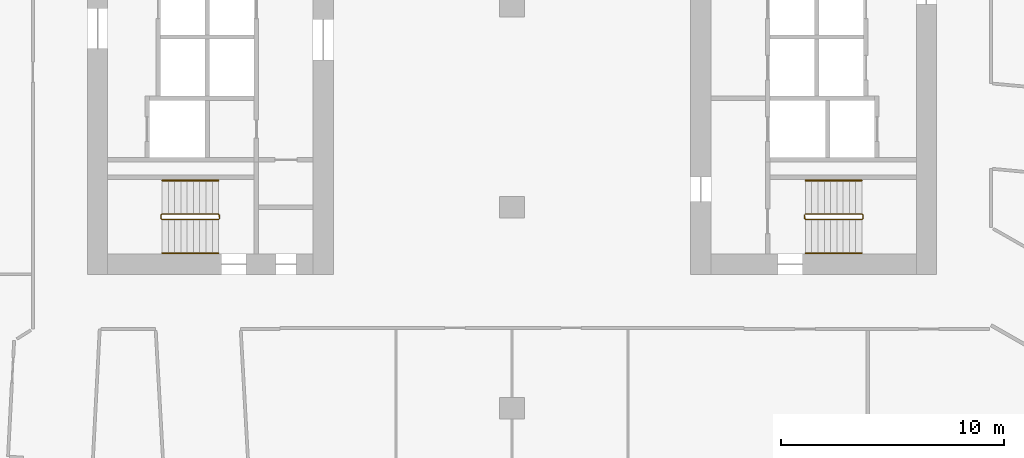
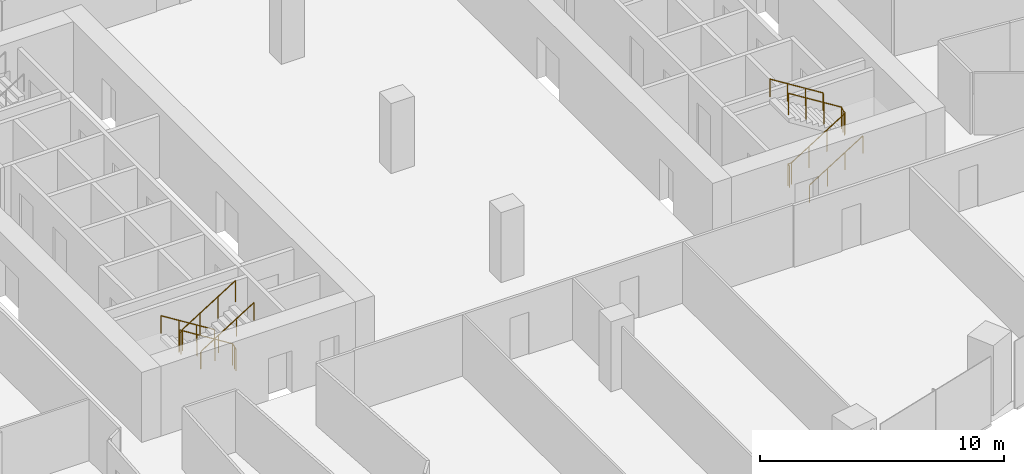
# One storey, part 29 of 31: 6 railings.
"""IFC4 building model written with IfcOpenShell, lengths in metres."""

from ifc_helpers import new_model, si_unit, direction, frame, origin, origin_2d, place, context, subcontext, project, spatial, circle, extrude, material, type_object, element, save


model = new_model("IFC4")

# Units and contexts
model_context = context("Model", 3, precision=1e-05, world=origin(), true_north=direction((0.0, 1.0)))
body_context = subcontext(model_context, "Body", "Model", "MODEL_VIEW")
ifc_project = project(units=[si_unit("LENGTHUNIT", "METRE"), si_unit("AREAUNIT", "SQUARE_METRE"), si_unit("VOLUMEUNIT", "CUBIC_METRE"), si_unit("PLANEANGLEUNIT", "RADIAN"), si_unit("MASSUNIT", "GRAM", prefix="KILO")], contexts=[model_context])

# Site, building, storey
site_placement = place(None, origin())
site = spatial("IfcSite", under=ifc_project, at=site_placement, CompositionType="ELEMENT")
building_placement = place(site_placement, origin())
building = spatial("IfcBuilding", under=site, at=building_placement, Name="Orlundy Tower", CompositionType="ELEMENT")
storey_placement = place(building_placement, frame((0.0, 0.0, 84.199951171875)))
storey = spatial("IfcBuildingStorey", under=building, at=storey_placement, Name="L20", CompositionType="ELEMENT", Elevation=84.199951171875)

# Railings
ifc_material_1 = material(Name="Steel balustrade", Category="steel")
railing_type_1 = type_object("IfcRailingType", Name="Stair Guard 1100", PredefinedType="GUARDRAIL", material=ifc_material_1)
railing_1_placement = place(storey_placement, frame((-13.090087890625, -9.35009765625, 0.0)))
element("IfcRailing", 1, at=railing_1_placement, inside=storey, type_object=railing_type_1, Name="L20 ST-W2 stair guard 1", PredefinedType="GUARDRAIL", context=body_context, shape_type="SweptSolid", body=[
    extrude(circle(Radius=0.02392578125, at=origin_2d()), frame((0.0, 0.0, 1.076171875), z_axis=(0.0, -1.0, 0.0), x_axis=(1.0, 0.0, 0.0)), (0.0, 0.0, 1.0), 0.14990234375),
    extrude(circle(Radius=0.02392578125, at=origin_2d()), frame((0.0, -0.14990234375, 1.076171875), z_axis=(-0.18420542264, 0.739530593833, 0.647427882513), x_axis=(-0.970351222016, -0.241699205484, 0.0)), (0.0, 0.0, 1.0), 0.270263671875),
    extrude(circle(Radius=0.02392578125, at=origin_2d()), frame((-0.0498046875, 0.050048828125, 1.2509765625), z_axis=(-0.848007534815, 0.0, 0.529984170421), x_axis=(0.0, -1.0, 0.0)), (0.0, 0.0, 1.0), 2.9716796875),
    extrude(circle(Radius=0.02392578125, at=origin_2d()), frame((-2.56982421875, 0.050048828125, 2.826171875), z_axis=(-0.707106781187, -0.707106781187, 0.0), x_axis=(0.707106781187, -0.707106781187, 0.0)), (0.0, 0.0, 1.0), 0.07080078125),
    extrude(circle(Radius=0.02392578125, at=origin_2d()), frame((-2.619873046875, 0.0, 2.826171875), z_axis=(0.0, -1.0, 0.0), x_axis=(1.0, 0.0, 0.0)), (0.0, 0.0, 1.0), 0.14990234375),
    extrude(circle(Radius=0.02392578125, at=origin_2d()), frame((-2.619873046875, -0.14990234375, 2.826171875), z_axis=(0.265065253269, -0.265065253269, 0.927081885822), x_axis=(0.707106781187, 0.707106781187, 0.0)), (0.0, 0.0, 1.0), 0.188720703125),
    extrude(circle(Radius=0.02392578125, at=origin_2d()), frame((-2.56982421875, -0.199951171875, 3.0009765625), z_axis=(0.848007534815, 0.0, 0.529984170421), x_axis=(0.0, 1.0, 0.0)), (0.0, 0.0, 1.0), 2.9716796875),
    extrude(circle(Radius=0.02099609375, at=origin_2d()), origin(), (0.0, 0.0, 1.0), 1.052001953125),
    extrude(circle(Radius=0.02099609375, at=origin_2d()), frame((0.0, -0.14990234375, 0.0)), (0.0, 0.0, 1.0), 1.052001953125),
    extrude(circle(Radius=0.02099609375, at=origin_2d()), frame((-0.0498046875, 0.050048828125, 0.175048828125)), (0.0, 0.0, 1.0), 1.052001953125),
    extrude(circle(Radius=0.02099609375, at=origin_2d()), frame((-0.889892578125, 0.050048828125, 0.699951171875)), (0.0, 0.0, 1.0), 1.052001953125),
    extrude(circle(Radius=0.02099609375, at=origin_2d()), frame((-1.729736328125, 0.050048828125, 1.22509765625)), (0.0, 0.0, 1.0), 1.052001953125),
    extrude(circle(Radius=0.02099609375, at=origin_2d()), frame((-2.56982421875, 0.050048828125, 1.75)), (0.0, 0.0, 1.0), 1.052001953125),
    extrude(circle(Radius=0.02099609375, at=origin_2d()), frame((-2.619873046875, 0.0, 1.75)), (0.0, 0.0, 1.0), 1.052001953125),
    extrude(circle(Radius=0.02099609375, at=origin_2d()), frame((-2.619873046875, -0.14990234375, 1.75)), (0.0, 0.0, 1.0), 1.052001953125),
    extrude(circle(Radius=0.02099609375, at=origin_2d()), frame((-2.56982421875, -0.199951171875, 1.925048828125)), (0.0, 0.0, 1.0), 1.052001953125),
    extrude(circle(Radius=0.02099609375, at=origin_2d()), frame((-1.729736328125, -0.199951171875, 2.449951171875)), (0.0, 0.0, 1.0), 1.052001953125),
    extrude(circle(Radius=0.02099609375, at=origin_2d()), frame((-0.889892578125, -0.199951171875, 2.97509765625)), (0.0, 0.0, 1.0), 1.052001953125),
    extrude(circle(Radius=0.02099609375, at=origin_2d()), frame((-0.0498046875, -0.199951171875, 3.5)), (0.0, 0.0, 1.0), 1.052001953125),
])
railing_2_placement = place(storey_placement, frame((13.090087890625, -9.5, 0.0)))
element("IfcRailing", 2, at=railing_2_placement, inside=storey, type_object=railing_type_1, Name="L20 ST-E1 stair guard 1", PredefinedType="GUARDRAIL", context=body_context, shape_type="SweptSolid", body=[
    extrude(circle(Radius=0.02392578125, at=origin_2d()), frame((0.0, 0.0, 1.076171875), z_axis=(0.0, 1.0, 0.0), x_axis=(-1.0, 0.0, 0.0)), (0.0, 0.0, 1.0), 0.14990234375),
    extrude(circle(Radius=0.02392578125, at=origin_2d()), frame((0.0, 0.14990234375, 1.076171875), z_axis=(0.18420542264, -0.739530593833, 0.647427882513), x_axis=(0.970351222016, 0.241699205484, 0.0)), (0.0, 0.0, 1.0), 0.270263671875),
    extrude(circle(Radius=0.02392578125, at=origin_2d()), frame((0.0498046875, -0.050048828125, 1.2509765625), z_axis=(0.848007534815, 0.0, 0.529984170421), x_axis=(0.0, 1.0, 0.0)), (0.0, 0.0, 1.0), 2.9716796875),
    extrude(circle(Radius=0.02392578125, at=origin_2d()), frame((2.56982421875, -0.050048828125, 2.826171875), z_axis=(0.707106781187, 0.707106781187, 0.0), x_axis=(-0.707106781187, 0.707106781187, 0.0)), (0.0, 0.0, 1.0), 0.07080078125),
    extrude(circle(Radius=0.02392578125, at=origin_2d()), frame((2.619873046875, 0.0, 2.826171875), z_axis=(0.0, 1.0, 0.0), x_axis=(-1.0, 0.0, 0.0)), (0.0, 0.0, 1.0), 0.14990234375),
    extrude(circle(Radius=0.02392578125, at=origin_2d()), frame((2.619873046875, 0.14990234375, 2.826171875), z_axis=(-0.265065253269, 0.265065253269, 0.927081885822), x_axis=(-0.707106781187, -0.707106781187, 0.0)), (0.0, 0.0, 1.0), 0.188720703125),
    extrude(circle(Radius=0.02392578125, at=origin_2d()), frame((2.56982421875, 0.199951171875, 3.0009765625), z_axis=(-0.848007534815, 0.0, 0.529984170421), x_axis=(0.0, -1.0, 0.0)), (0.0, 0.0, 1.0), 2.9716796875),
    extrude(circle(Radius=0.02099609375, at=origin_2d()), origin(), (0.0, 0.0, 1.0), 1.052001953125),
    extrude(circle(Radius=0.02099609375, at=origin_2d()), frame((0.0, 0.14990234375, 0.0)), (0.0, 0.0, 1.0), 1.052001953125),
    extrude(circle(Radius=0.02099609375, at=origin_2d()), frame((0.0498046875, -0.050048828125, 0.175048828125)), (0.0, 0.0, 1.0), 1.052001953125),
    extrude(circle(Radius=0.02099609375, at=origin_2d()), frame((0.889892578125, -0.050048828125, 0.699951171875)), (0.0, 0.0, 1.0), 1.052001953125),
    extrude(circle(Radius=0.02099609375, at=origin_2d()), frame((1.729736328125, -0.050048828125, 1.22509765625)), (0.0, 0.0, 1.0), 1.052001953125),
    extrude(circle(Radius=0.02099609375, at=origin_2d()), frame((2.56982421875, -0.050048828125, 1.75)), (0.0, 0.0, 1.0), 1.052001953125),
    extrude(circle(Radius=0.02099609375, at=origin_2d()), frame((2.619873046875, 0.0, 1.75)), (0.0, 0.0, 1.0), 1.052001953125),
    extrude(circle(Radius=0.02099609375, at=origin_2d()), frame((2.619873046875, 0.14990234375, 1.75)), (0.0, 0.0, 1.0), 1.052001953125),
    extrude(circle(Radius=0.02099609375, at=origin_2d()), frame((2.56982421875, 0.199951171875, 1.925048828125)), (0.0, 0.0, 1.0), 1.052001953125),
    extrude(circle(Radius=0.02099609375, at=origin_2d()), frame((1.729736328125, 0.199951171875, 2.449951171875)), (0.0, 0.0, 1.0), 1.052001953125),
    extrude(circle(Radius=0.02099609375, at=origin_2d()), frame((0.889892578125, 0.199951171875, 2.97509765625)), (0.0, 0.0, 1.0), 1.052001953125),
    extrude(circle(Radius=0.02099609375, at=origin_2d()), frame((0.0498046875, 0.199951171875, 3.5)), (0.0, 0.0, 1.0), 1.052001953125),
])
ifc_material_2 = material(Name="Steel handrail", Category="steel")
railing_type_2 = type_object("IfcRailingType", Name="Stair Handrail 900", PredefinedType="HANDRAIL", material=ifc_material_2)
railing_3_placement = place(storey_placement, frame((-13.139892578125, -7.800048828125, 0.175048828125)))
element("IfcRailing", 3, at=railing_3_placement, inside=storey, type_object=railing_type_2, Name="L20 ST-W2 stair handrail 1", PredefinedType="HANDRAIL", context=body_context, shape_type="SweptSolid", body=[
    extrude(circle(Radius=0.02392578125, at=origin_2d()), frame((0.0, 0.0, 0.8759765625), z_axis=(-0.848007534815, 0.0, 0.529984170421), x_axis=(0.0, -1.0, 0.0)), (0.0, 0.0, 1.0), 2.9716796875),
    extrude(circle(Radius=0.02099609375, at=origin_2d()), origin(), (0.0, 0.0, 1.0), 0.851806640625),
    extrude(circle(Radius=0.02099609375, at=origin_2d()), frame((-0.840087890625, 0.0, 0.52490234375)), (0.0, 0.0, 1.0), 0.851806640625),
    extrude(circle(Radius=0.02099609375, at=origin_2d()), frame((-1.679931640625, 0.0, 1.050048828125)), (0.0, 0.0, 1.0), 0.851806640625),
    extrude(circle(Radius=0.02099609375, at=origin_2d()), frame((-2.52001953125, 0.0, 1.574951171875)), (0.0, 0.0, 1.0), 0.851806640625),
])
for number, where, name in (
    (4, (-15.659912109375, -11.050048828125, 1.925048828125), "L20 ST-W2 stair handrail 2"),
    (5, (13.139892578125, -11.050048828125, 0.175048828125), "L20 ST-E1 stair handrail 1"),
):
    element("IfcRailing", number, at=place(storey_placement, frame(where)), inside=storey, type_object=railing_type_2, Name=name, PredefinedType="HANDRAIL", context=body_context, shape_type="SweptSolid", body=[
        extrude(circle(Radius=0.02392578125, at=origin_2d()), frame((0.0, 0.0, 0.8759765625), z_axis=(0.848007534815, 0.0, 0.529984170421), x_axis=(0.0, 1.0, 0.0)), (0.0, 0.0, 1.0), 2.9716796875),
        extrude(circle(Radius=0.02099609375, at=origin_2d()), origin(), (0.0, 0.0, 1.0), 0.851806640625),
        extrude(circle(Radius=0.02099609375, at=origin_2d()), frame((0.840087890625, 0.0, 0.52490234375)), (0.0, 0.0, 1.0), 0.851806640625),
        extrude(circle(Radius=0.02099609375, at=origin_2d()), frame((1.679931640625, 0.0, 1.050048828125)), (0.0, 0.0, 1.0), 0.851806640625),
        extrude(circle(Radius=0.02099609375, at=origin_2d()), frame((2.52001953125, 0.0, 1.574951171875)), (0.0, 0.0, 1.0), 0.851806640625),
    ])
railing_4_placement = place(storey_placement, frame((15.659912109375, -7.800048828125, 1.925048828125)))
element("IfcRailing", 6, at=railing_4_placement, inside=storey, type_object=railing_type_2, Name="L20 ST-E1 stair handrail 2", PredefinedType="HANDRAIL", context=body_context, shape_type="SweptSolid", body=[
    extrude(circle(Radius=0.02392578125, at=origin_2d()), frame((0.0, 0.0, 0.8759765625), z_axis=(-0.848007534815, 0.0, 0.529984170421), x_axis=(0.0, -1.0, 0.0)), (0.0, 0.0, 1.0), 2.9716796875),
    extrude(circle(Radius=0.02099609375, at=origin_2d()), origin(), (0.0, 0.0, 1.0), 0.851806640625),
    extrude(circle(Radius=0.02099609375, at=origin_2d()), frame((-0.840087890625, 0.0, 0.52490234375)), (0.0, 0.0, 1.0), 0.851806640625),
    extrude(circle(Radius=0.02099609375, at=origin_2d()), frame((-1.679931640625, 0.0, 1.050048828125)), (0.0, 0.0, 1.0), 0.851806640625),
    extrude(circle(Radius=0.02099609375, at=origin_2d()), frame((-2.52001953125, 0.0, 1.574951171875)), (0.0, 0.0, 1.0), 0.851806640625),
])

save(model, "model.ifc")
